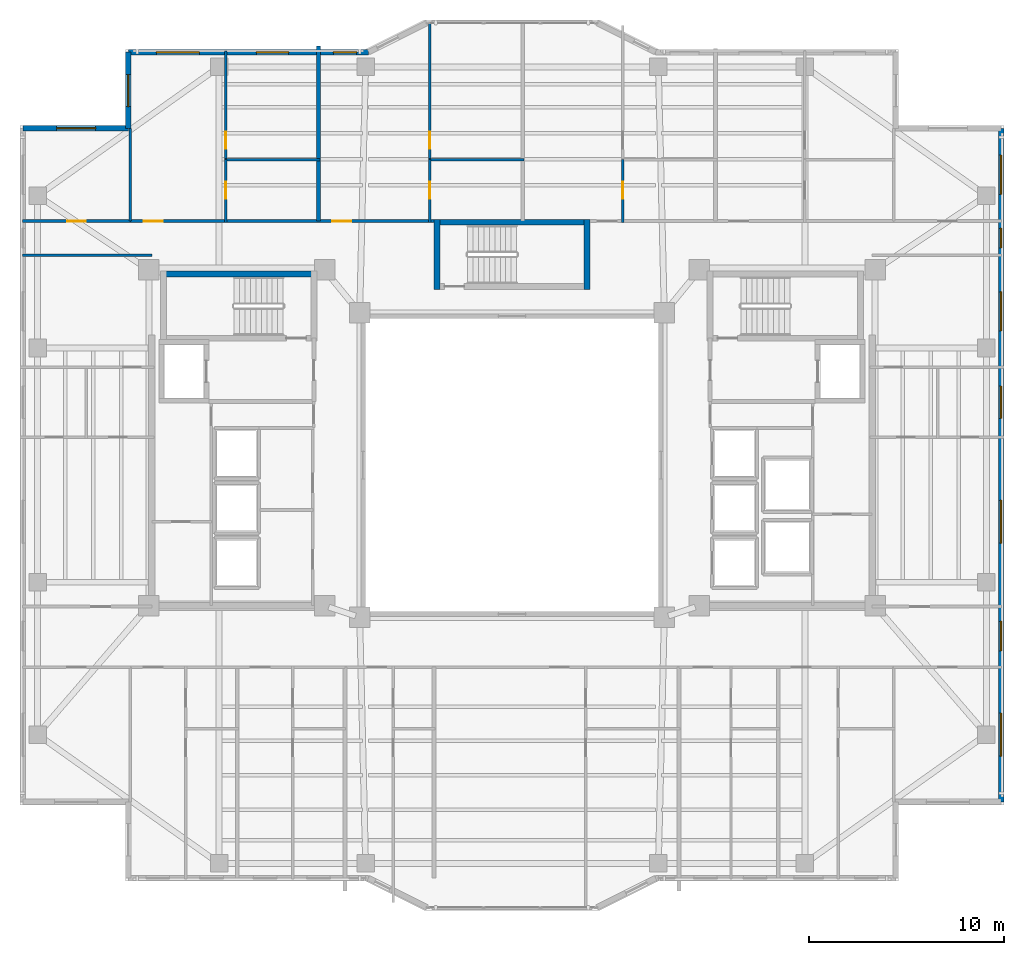
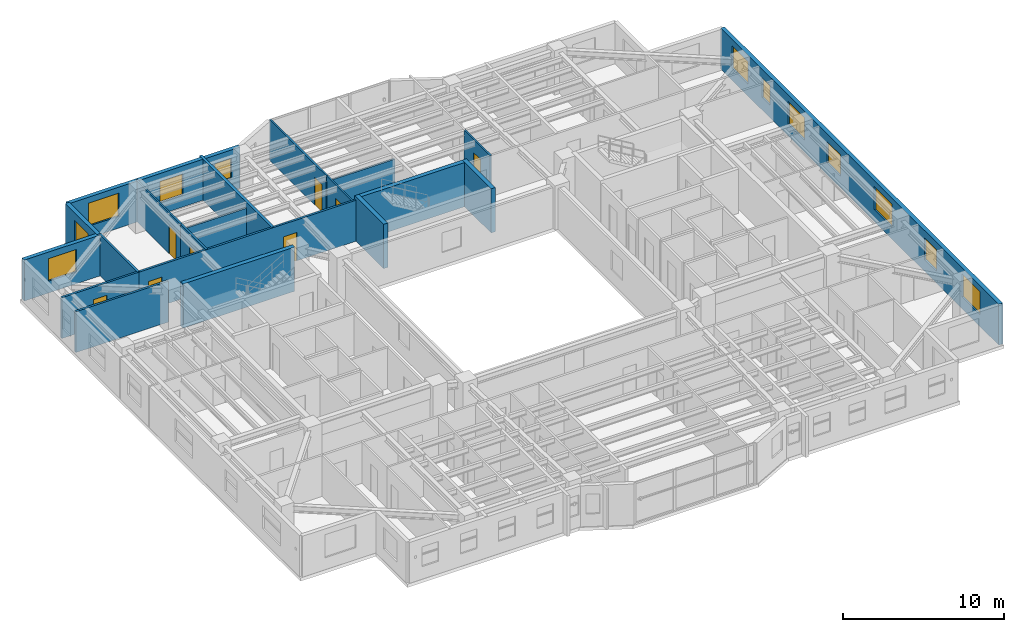
# One storey, part 10 of 16: 20 walls, 12 windows, 8 doors, 20 openings.
"""IFC4 building model written with IfcOpenShell, lengths in metres."""

from ifc_helpers import new_model, si_unit, direction, frame, frame_2d, origin, place, context, subcontext, project, spatial, rectangle, extrude, material, layer, layer_set, type_object, element, fill, save


model = new_model("IFC4")

# Units and contexts
model_context = context("Model", 3, precision=1e-05, world=origin(), true_north=direction((0.0, 1.0)))
body_context = subcontext(model_context, "Body", "Model", "MODEL_VIEW")
ifc_project = project(units=[si_unit("LENGTHUNIT", "METRE"), si_unit("AREAUNIT", "SQUARE_METRE"), si_unit("VOLUMEUNIT", "CUBIC_METRE"), si_unit("PLANEANGLEUNIT", "RADIAN"), si_unit("MASSUNIT", "GRAM", prefix="KILO")], contexts=[model_context])

# Site, building, storey
site_placement = place(None, origin())
site = spatial("IfcSite", under=ifc_project, at=site_placement, CompositionType="ELEMENT")
building_placement = place(site_placement, origin())
building = spatial("IfcBuilding", under=site, at=building_placement, Name="Tarnavaz Court Tower", CompositionType="ELEMENT")
storey_placement = place(building_placement, frame((0.0, 0.0, 166.10009765625)))
storey = spatial("IfcBuildingStorey", under=building, at=storey_placement, Name="L45", CompositionType="ELEMENT", Elevation=166.10009765625)

# Walls
ifc_material_1 = material(Name="Concrete C50/60", Category="concrete")
ifc_layer_1 = layer(ifc_material_1, 0.300048828125)
ifc_layer_set_1 = layer_set([ifc_layer_1], Name="Concrete C50/60")
wall_type_1 = type_object("IfcWallType", Name="WL-CORE-300-C50", PredefinedType="SHEAR", material=ifc_layer_set_1)
for number, where, z_axis, x_axis, name in (
    (1, (-18.0, 9.7900390625, 0.0), (0.0, 0.0, 1.0), (1.0, 0.0, 0.0), "L45 West Stair Core Wall 001"),
    (2, (-4.0, 12.43994140625, 0.0), (0.0, 0.0, 1.0), (1.0, 0.0, 0.0), "L45 North Stair Core Wall 009"),
):
    element("IfcWall", number, at=place(storey_placement, frame(where, z_axis=z_axis, x_axis=x_axis)), inside=storey, type_object=wall_type_1, Name=name, PredefinedType="SHEAR", context=body_context, shape_type="SweptSolid", body=[
        extrude(rectangle(XDim=8.0, YDim=0.300048828125, at=frame_2d((4.0, 0.0))), origin(), (0.0, 0.0, 1.0), 3.349853515625),
    ])
for number, where, z_axis, x_axis, name in (
    (3, (-3.85009765625, 9.0, 0.0), (0.0, 0.0, 1.0), (0.0, 1.0, 0.0), "L45 North Stair Core Wall 011"),
    (4, (3.85009765625, 9.0, 0.0), (0.0, 0.0, 1.0), (0.0, 1.0, 0.0), "L45 North Stair Core Wall 012"),
):
    element("IfcWall", number, at=place(storey_placement, frame(where, z_axis=z_axis, x_axis=x_axis)), inside=storey, type_object=wall_type_1, Name=name, PredefinedType="SHEAR", context=body_context, shape_type="SweptSolid", body=[
        extrude(rectangle(XDim=3.590087890625, YDim=0.300048828125, at=frame_2d((1.794921875, 0.0))), origin(), (0.0, 0.0, 1.0), 3.349853515625),
    ])

# Wall, opening, window
ifc_material_2 = material(Name="Precast Concrete C40/50", Category="concrete")
ifc_layer_2 = layer(ifc_material_2, 0.280029296875)
ifc_layer_set_2 = layer_set([ifc_layer_2], Name="Precast Concrete C40/50")
wall_type_2 = type_object("IfcWallType", Name="WL-EXT-280", PredefinedType="SOLIDWALL", material=ifc_layer_set_2)
wall_1_placement = place(storey_placement, frame((-25.050048828125, 17.25, 0.0), z_axis=(0.0, 0.0, 1.0), x_axis=(1.0, 0.0, 0.0)))
wall_1 = element("IfcWall", 5, at=wall_1_placement, inside=storey, type_object=wall_type_2, Name="L45 Exterior Terracotta Facade Wall 03", PredefinedType="SOLIDWALL", context=body_context, shape_type="SweptSolid", body=[
    extrude(rectangle(XDim=5.400146484375, YDim=0.280029296875, at=frame_2d((2.7001953125, 0.0))), origin(), (0.0, 0.0, 1.0), 3.099853515625),
])
opening_1_placement = place(wall_1_placement, frame((1.72509765625, 0.0, 0.89990234375)))
opening_1 = element("IfcOpeningElement", 6, at=opening_1_placement, cuts=wall_1, Name="Opening W08", PredefinedType="OPENING", context=body_context, shape_type="SweptSolid", body=[
    extrude(rectangle(XDim=2.0, YDim=1.699951171875, at=frame_2d((1.0, 0.85009765625))), frame((0.0, 0.14990234375, 0.0), z_axis=(0.0, -1.0, 0.0), x_axis=(1.0, 0.0, 0.0)), (0.0, 0.0, 1.0), 0.300048828125),
])
ifc_material_3 = material(Name="Double-Glazed Solar Low-E Glass", Category="glass")
window_type_1 = type_object("IfcWindowType", Name="WN-APT-2000", PartitioningType="DOUBLE_PANEL_VERTICAL", PredefinedType="WINDOW", material=ifc_material_3)
window_1_placement = place(opening_1_placement, origin())
window_1 = element("IfcWindow", 7, at=window_1_placement, inside=storey, type_object=window_type_1, Name="L45 North-West Corner Sunroom Study Window", OverallHeight=1.699951171875, OverallWidth=2.0, PartitioningType="SINGLE_PANEL", PredefinedType="WINDOW", context=body_context, shape_type="SweptSolid", body=[
    extrude(rectangle(XDim=2.0, YDim=1.699951171875, at=frame_2d((1.0, 0.85009765625))), frame((0.0, 0.030029296875, 0.0), z_axis=(0.0, -1.0, 0.0), x_axis=(1.0, 0.0, 0.0)), (0.0, 0.0, 1.0), 0.06005859375),
])
fill(opening_1, window_1)

wall_2_placement = place(storey_placement, frame((-19.64990234375, 17.25, 0.0), z_axis=(0.0, 0.0, 1.0), x_axis=(0.0, 1.0, 0.0)))
wall_2 = element("IfcWall", 8, at=wall_2_placement, inside=storey, type_object=wall_type_2, Name="L45 Exterior Terracotta Facade Wall 04", PredefinedType="SOLIDWALL", context=body_context, shape_type="SweptSolid", body=[
    extrude(rectangle(XDim=3.89990234375, YDim=0.280029296875, at=frame_2d((1.949951171875, 0.0))), origin(), (0.0, 0.0, 1.0), 3.099853515625),
])
opening_2_placement = place(wall_2_placement, frame((1.107177734375, 0.0, 0.89990234375)))
opening_2 = element("IfcOpeningElement", 9, at=opening_2_placement, cuts=wall_2, Name="Opening W02", PredefinedType="OPENING", context=body_context, shape_type="SweptSolid", body=[
    extrude(rectangle(XDim=1.64990234375, YDim=1.60009765625, at=frame_2d((0.824951171875, 0.800048828125))), frame((0.0, 0.14990234375, 0.0), z_axis=(0.0, -1.0, 0.0), x_axis=(1.0, 0.0, 0.0)), (0.0, 0.0, 1.0), 0.300048828125),
])
window_type_2 = type_object("IfcWindowType", Name="WN-APT-1650", PartitioningType="DOUBLE_PANEL_VERTICAL", PredefinedType="WINDOW", material=ifc_material_3)
window_2_placement = place(opening_2_placement, origin())
window_2 = element("IfcWindow", 10, at=window_2_placement, inside=storey, type_object=window_type_2, Name="L45 Flat 01 Studio Living and Sleeping Room Window", OverallHeight=1.60009765625, OverallWidth=1.64990234375, PartitioningType="SINGLE_PANEL", PredefinedType="WINDOW", context=body_context, shape_type="SweptSolid", body=[
    extrude(rectangle(XDim=1.64990234375, YDim=1.60009765625, at=frame_2d((0.824951171875, 0.800048828125))), frame((0.0, 0.030029296875, 0.0), z_axis=(0.0, -1.0, 0.0), x_axis=(1.0, 0.0, 0.0)), (0.0, 0.0, 1.0), 0.06005859375),
])
fill(opening_2, window_2)

# Wall, openings, windows
wall_3_placement = place(storey_placement, frame((-19.64990234375, 21.14990234375, 0.0), z_axis=(0.0, 0.0, 1.0), x_axis=(1.0, 0.0, 0.0)))
wall_3 = element("IfcWall", 11, at=wall_3_placement, inside=storey, type_object=wall_type_2, Name="L45 Exterior Terracotta Facade Wall 05", PredefinedType="SOLIDWALL", context=body_context, shape_type="SweptSolid", body=[
    extrude(rectangle(XDim=12.2998046875, YDim=0.280029296875, at=frame_2d((6.14990234375, 0.0))), origin(), (0.0, 0.0, 1.0), 3.099853515625),
])
opening_3_placement = place(wall_3_placement, frame((1.435302734375, 0.0, 0.89990234375)))
opening_3 = element("IfcOpeningElement", 12, at=opening_3_placement, cuts=wall_3, Name="Opening W07", PredefinedType="OPENING", context=body_context, shape_type="SweptSolid", body=[
    extrude(rectangle(XDim=2.199951171875, YDim=1.75, at=frame_2d((1.10009765625, 0.875))), frame((0.0, 0.14990234375, 0.0), z_axis=(0.0, -1.0, 0.0), x_axis=(1.0, 0.0, 0.0)), (0.0, 0.0, 1.0), 0.300048828125),
])
opening_4_placement = place(wall_3_placement, frame((6.554931640625, 0.0, 0.89990234375)))
opening_4 = element("IfcOpeningElement", 13, at=opening_4_placement, cuts=wall_3, Name="Opening W02", PredefinedType="OPENING", context=body_context, shape_type="SweptSolid", body=[
    extrude(rectangle(XDim=1.64990234375, YDim=1.60009765625, at=frame_2d((0.824951171875, 0.800048828125))), frame((0.0, 0.14990234375, 0.0), z_axis=(0.0, -1.0, 0.0), x_axis=(1.0, 0.0, 0.0)), (0.0, 0.0, 1.0), 0.300048828125),
])
opening_5_placement = place(wall_3_placement, frame((10.4951171875, 0.0, 0.949951171875)))
opening_5 = element("IfcOpeningElement", 14, at=opening_5_placement, cuts=wall_3, Name="Opening W05", PredefinedType="OPENING", context=body_context, shape_type="SweptSolid", body=[
    extrude(rectangle(XDim=1.199951171875, YDim=1.5, at=frame_2d((0.60009765625, 0.75))), frame((0.0, 0.14990234375, 0.0), z_axis=(0.0, -1.0, 0.0), x_axis=(1.0, 0.0, 0.0)), (0.0, 0.0, 1.0), 0.300048828125),
])
window_type_3 = type_object("IfcWindowType", Name="WN-APT-1200", PartitioningType="SINGLE_PANEL", PredefinedType="WINDOW", material=ifc_material_3)
window_3_placement = place(opening_5_placement, origin())
window_3 = element("IfcWindow", 15, at=window_3_placement, inside=storey, type_object=window_type_3, Name="L45 Flat 02 Studio Living and Sleeping Room Window", OverallHeight=1.5, OverallWidth=1.199951171875, PartitioningType="SINGLE_PANEL", PredefinedType="WINDOW", context=body_context, shape_type="SweptSolid", body=[
    extrude(rectangle(XDim=1.199951171875, YDim=1.5, at=frame_2d((0.60009765625, 0.75))), frame((0.0, 0.030029296875, 0.0), z_axis=(0.0, -1.0, 0.0), x_axis=(1.0, 0.0, 0.0)), (0.0, 0.0, 1.0), 0.06005859375),
])
fill(opening_5, window_3)
window_4_placement = place(opening_4_placement, origin())
window_4 = element("IfcWindow", 16, at=window_4_placement, inside=storey, type_object=window_type_2, Name="L45 Flat 01 Kitchen Window", OverallHeight=1.60009765625, OverallWidth=1.64990234375, PartitioningType="SINGLE_PANEL", PredefinedType="WINDOW", context=body_context, shape_type="SweptSolid", body=[
    extrude(rectangle(XDim=1.64990234375, YDim=1.60009765625, at=frame_2d((0.824951171875, 0.800048828125))), frame((0.0, 0.030029296875, 0.0), z_axis=(0.0, -1.0, 0.0), x_axis=(1.0, 0.0, 0.0)), (0.0, 0.0, 1.0), 0.06005859375),
])
fill(opening_4, window_4)
window_type_4 = type_object("IfcWindowType", Name="WN-APT-2200", PartitioningType="TRIPLE_PANEL_VERTICAL", PredefinedType="WINDOW", material=ifc_material_3)
window_5_placement = place(opening_3_placement, origin())
window_5 = element("IfcWindow", 17, at=window_5_placement, inside=storey, type_object=window_type_4, Name="L45 Flat 01 Studio Living and Sleeping Room Window", OverallHeight=1.75, OverallWidth=2.199951171875, PartitioningType="SINGLE_PANEL", PredefinedType="WINDOW", context=body_context, shape_type="SweptSolid", body=[
    extrude(rectangle(XDim=2.199951171875, YDim=1.75, at=frame_2d((1.10009765625, 0.875))), frame((0.0, 0.030029296875, 0.0), z_axis=(0.0, -1.0, 0.0), x_axis=(1.0, 0.0, 0.0)), (0.0, 0.0, 1.0), 0.06005859375),
])
fill(opening_3, window_5)

wall_4_placement = place(storey_placement, frame((25.050048828125, 17.25, 0.0), z_axis=(0.0, 0.0, 1.0), x_axis=(0.0, -1.0, 0.0)))
wall_4 = element("IfcWall", 18, at=wall_4_placement, inside=storey, type_object=wall_type_2, Name="L45 Exterior Terracotta Facade Wall 12", PredefinedType="SOLIDWALL", context=body_context, shape_type="SweptSolid", body=[
    extrude(rectangle(XDim=34.5, YDim=0.280029296875, at=frame_2d((17.25, 0.0))), origin(), (0.0, 0.0, 1.0), 3.099853515625),
])
opening_6_placement = place(wall_4_placement, frame((1.375, 0.0, 0.89990234375)))
opening_6 = element("IfcOpeningElement", 19, at=opening_6_placement, cuts=wall_4, Name="Opening W08", PredefinedType="OPENING", context=body_context, shape_type="SweptSolid", body=[
    extrude(rectangle(XDim=2.0, YDim=1.699951171875, at=frame_2d((1.0, 0.85009765625))), frame((0.0, 0.14990234375, 0.0), z_axis=(0.0, -1.0, 0.0), x_axis=(1.0, 0.0, 0.0)), (0.0, 0.0, 1.0), 0.300048828125),
])
opening_7_placement = place(wall_4_placement, frame((5.125, 0.0, 0.949951171875)))
opening_7 = element("IfcOpeningElement", 20, at=opening_7_placement, cuts=wall_4, Name="Opening W14", PredefinedType="OPENING", context=body_context, shape_type="SweptSolid", body=[
    extrude(rectangle(XDim=1.0, YDim=1.5, at=frame_2d((0.5, 0.75))), frame((0.0, 0.14990234375, 0.0), z_axis=(0.0, -1.0, 0.0), x_axis=(1.0, 0.0, 0.0)), (0.0, 0.0, 1.0), 0.300048828125),
])
opening_8_placement = place(wall_4_placement, frame((8.375, 0.0, 0.89990234375)))
opening_8 = element("IfcOpeningElement", 21, at=opening_8_placement, cuts=wall_4, Name="Opening W08", PredefinedType="OPENING", context=body_context, shape_type="SweptSolid", body=[
    extrude(rectangle(XDim=2.0, YDim=1.699951171875, at=frame_2d((1.0, 0.85009765625))), frame((0.0, 0.14990234375, 0.0), z_axis=(0.0, -1.0, 0.0), x_axis=(1.0, 0.0, 0.0)), (0.0, 0.0, 1.0), 0.300048828125),
])
opening_9_placement = place(wall_4_placement, frame((13.199951171875, 0.0, 0.89990234375)))
opening_9 = element("IfcOpeningElement", 22, at=opening_9_placement, cuts=wall_4, Name="Opening W02", PredefinedType="OPENING", context=body_context, shape_type="SweptSolid", body=[
    extrude(rectangle(XDim=1.64990234375, YDim=1.60009765625, at=frame_2d((0.824951171875, 0.800048828125))), frame((0.0, 0.14990234375, 0.0), z_axis=(0.0, -1.0, 0.0), x_axis=(1.0, 0.0, 0.0)), (0.0, 0.0, 1.0), 0.300048828125),
])
opening_10_placement = place(wall_4_placement, frame((19.050048828125, 0.0, 0.89990234375)))
opening_10 = element("IfcOpeningElement", 23, at=opening_10_placement, cuts=wall_4, Name="Opening W07", PredefinedType="OPENING", context=body_context, shape_type="SweptSolid", body=[
    extrude(rectangle(XDim=2.199951171875, YDim=1.75, at=frame_2d((1.10009765625, 0.875))), frame((0.0, 0.14990234375, 0.0), z_axis=(0.0, -1.0, 0.0), x_axis=(1.0, 0.0, 0.0)), (0.0, 0.0, 1.0), 0.300048828125),
])
opening_11_placement = place(wall_4_placement, frame((25.257568359375, 0.0, 0.89990234375)))
opening_11 = element("IfcOpeningElement", 24, at=opening_11_placement, cuts=wall_4, Name="Opening W03", PredefinedType="OPENING", context=body_context, shape_type="SweptSolid", body=[
    extrude(rectangle(XDim=1.5, YDim=1.64990234375, at=frame_2d((0.75, 0.824951171875))), frame((0.0, 0.14990234375, 0.0), z_axis=(0.0, -1.0, 0.0), x_axis=(1.0, 0.0, 0.0)), (0.0, 0.0, 1.0), 0.300048828125),
])
opening_12_placement = place(wall_4_placement, frame((29.949951171875, 0.0, 0.89990234375)))
opening_12 = element("IfcOpeningElement", 25, at=opening_12_placement, cuts=wall_4, Name="Opening W07", PredefinedType="OPENING", context=body_context, shape_type="SweptSolid", body=[
    extrude(rectangle(XDim=2.199951171875, YDim=1.75, at=frame_2d((1.10009765625, 0.875))), frame((0.0, 0.14990234375, 0.0), z_axis=(0.0, -1.0, 0.0), x_axis=(1.0, 0.0, 0.0)), (0.0, 0.0, 1.0), 0.300048828125),
])
window_type_5 = type_object("IfcWindowType", Name="WN-APT-1000", PartitioningType="SINGLE_PANEL", PredefinedType="WINDOW", material=ifc_material_3)
window_6_placement = place(opening_7_placement, origin())
window_6 = element("IfcWindow", 26, at=window_6_placement, inside=storey, type_object=window_type_5, Name="L45 North-East Corner Corridor Window", OverallHeight=1.5, OverallWidth=1.0, PartitioningType="SINGLE_PANEL", PredefinedType="WINDOW", context=body_context, shape_type="SweptSolid", body=[
    extrude(rectangle(XDim=1.0, YDim=1.5, at=frame_2d((0.5, 0.75))), frame((0.0, 0.030029296875, 0.0), z_axis=(0.0, -1.0, 0.0), x_axis=(1.0, 0.0, 0.0)), (0.0, 0.0, 1.0), 0.06005859375),
])
fill(opening_7, window_6)
window_type_6 = type_object("IfcWindowType", Name="WN-APT-1500", PartitioningType="DOUBLE_PANEL_VERTICAL", PredefinedType="WINDOW", material=ifc_material_3)
window_7_placement = place(opening_11_placement, origin())
window_7 = element("IfcWindow", 27, at=window_7_placement, inside=storey, type_object=window_type_6, Name="L45 South-East Corner Corridor Window", OverallHeight=1.64990234375, OverallWidth=1.5, PartitioningType="SINGLE_PANEL", PredefinedType="WINDOW", context=body_context, shape_type="SweptSolid", body=[
    extrude(rectangle(XDim=1.5, YDim=1.64990234375, at=frame_2d((0.75, 0.824951171875))), frame((0.0, 0.030029296875, 0.0), z_axis=(0.0, -1.0, 0.0), x_axis=(1.0, 0.0, 0.0)), (0.0, 0.0, 1.0), 0.06005859375),
])
fill(opening_11, window_7)
window_8_placement = place(opening_9_placement, origin())
window_8 = element("IfcWindow", 28, at=window_8_placement, inside=storey, type_object=window_type_2, Name="L45 Flat 12 Bathroom Window", OverallHeight=1.60009765625, OverallWidth=1.64990234375, PartitioningType="SINGLE_PANEL", PredefinedType="WINDOW", context=body_context, shape_type="SweptSolid", body=[
    extrude(rectangle(XDim=1.64990234375, YDim=1.60009765625, at=frame_2d((0.824951171875, 0.800048828125))), frame((0.0, 0.030029296875, 0.0), z_axis=(0.0, -1.0, 0.0), x_axis=(1.0, 0.0, 0.0)), (0.0, 0.0, 1.0), 0.06005859375),
])
fill(opening_9, window_8)
window_9_placement = place(opening_6_placement, origin())
window_9 = element("IfcWindow", 29, at=window_9_placement, inside=storey, type_object=window_type_1, Name="L45 North-East Corner Sunroom Study Window", OverallHeight=1.699951171875, OverallWidth=2.0, PartitioningType="SINGLE_PANEL", PredefinedType="WINDOW", context=body_context, shape_type="SweptSolid", body=[
    extrude(rectangle(XDim=2.0, YDim=1.699951171875, at=frame_2d((1.0, 0.85009765625))), frame((0.0, 0.030029296875, 0.0), z_axis=(0.0, -1.0, 0.0), x_axis=(1.0, 0.0, 0.0)), (0.0, 0.0, 1.0), 0.06005859375),
])
fill(opening_6, window_9)
window_10_placement = place(opening_8_placement, origin())
window_10 = element("IfcWindow", 30, at=window_10_placement, inside=storey, type_object=window_type_1, Name="L45 Flat 12 Study Room Window", OverallHeight=1.699951171875, OverallWidth=2.0, PartitioningType="SINGLE_PANEL", PredefinedType="WINDOW", context=body_context, shape_type="SweptSolid", body=[
    extrude(rectangle(XDim=2.0, YDim=1.699951171875, at=frame_2d((1.0, 0.85009765625))), frame((0.0, 0.030029296875, 0.0), z_axis=(0.0, -1.0, 0.0), x_axis=(1.0, 0.0, 0.0)), (0.0, 0.0, 1.0), 0.06005859375),
])
fill(opening_8, window_10)
window_11_placement = place(opening_10_placement, origin())
window_11 = element("IfcWindow", 31, at=window_11_placement, inside=storey, type_object=window_type_4, Name="L45 Flat 12 Studio Living and Sleeping Room Window", OverallHeight=1.75, OverallWidth=2.199951171875, PartitioningType="SINGLE_PANEL", PredefinedType="WINDOW", context=body_context, shape_type="SweptSolid", body=[
    extrude(rectangle(XDim=2.199951171875, YDim=1.75, at=frame_2d((1.10009765625, 0.875))), frame((0.0, 0.030029296875, 0.0), z_axis=(0.0, -1.0, 0.0), x_axis=(1.0, 0.0, 0.0)), (0.0, 0.0, 1.0), 0.06005859375),
])
fill(opening_10, window_11)
window_12_placement = place(opening_12_placement, origin())
window_12 = element("IfcWindow", 32, at=window_12_placement, inside=storey, type_object=window_type_4, Name="L45 South-East Corner Reading Room Window", OverallHeight=1.75, OverallWidth=2.199951171875, PartitioningType="SINGLE_PANEL", PredefinedType="WINDOW", context=body_context, shape_type="SweptSolid", body=[
    extrude(rectangle(XDim=2.199951171875, YDim=1.75, at=frame_2d((1.10009765625, 0.875))), frame((0.0, 0.030029296875, 0.0), z_axis=(0.0, -1.0, 0.0), x_axis=(1.0, 0.0, 0.0)), (0.0, 0.0, 1.0), 0.06005859375),
])
fill(opening_12, window_12)

# Wall, openings, doors
ifc_material_4 = material(Name="Gypsum Fire-Board on Acoustic Metal Stud", Category="masonry")
ifc_layer_3 = layer(ifc_material_4, 0.14990234375)
ifc_layer_set_3 = layer_set([ifc_layer_3], Name="Gypsum Fire-Board on Acoustic Metal Stud")
wall_type_3 = type_object("IfcWallType", Name="WL-FIRE-150", PredefinedType="PARTITIONING", material=ifc_layer_set_3)
wall_5_placement = place(storey_placement, frame((-19.550048828125, 12.5, 0.0), z_axis=(0.0, 0.0, 1.0), x_axis=(1.0, 0.0, 0.0)))
wall_5 = element("IfcWall", 33, at=wall_5_placement, inside=storey, type_object=wall_type_3, Name="L45 NW Wing Corridor Wall 071", PredefinedType="PARTITIONING", context=body_context, shape_type="SweptSolid", body=[
    extrude(rectangle(XDim=15.699951171875, YDim=0.14990234375, at=frame_2d((7.85009765625, 0.0))), origin(), (0.0, 0.0, 1.0), 3.099853515625),
])
opening_13_placement = place(wall_5_placement, frame((0.699951171875, 0.0, 0.0)))
opening_13 = element("IfcOpeningElement", 34, at=opening_13_placement, cuts=wall_5, Name="Opening D06", PredefinedType="OPENING", context=body_context, shape_type="SweptSolid", body=[
    extrude(rectangle(XDim=0.9599609375, YDim=2.14990234375, at=frame_2d((0.47998046875, 1.074951171875))), frame((0.0, 0.0849609375, 0.0), z_axis=(0.0, -1.0, 0.0), x_axis=(1.0, 0.0, 0.0)), (0.0, 0.0, 1.0), 0.169921875),
])
opening_14_placement = place(wall_5_placement, frame((10.347900390625, 0.0, 0.0)))
opening_14 = element("IfcOpeningElement", 35, at=opening_14_placement, cuts=wall_5, Name="Opening D06", PredefinedType="OPENING", context=body_context, shape_type="SweptSolid", body=[
    extrude(rectangle(XDim=0.9599609375, YDim=2.14990234375, at=frame_2d((0.47998046875, 1.074951171875))), frame((0.0, 0.0849609375, 0.0), z_axis=(0.0, -1.0, 0.0), x_axis=(1.0, 0.0, 0.0)), (0.0, 0.0, 1.0), 0.169921875),
])
ifc_material_5 = material(Name="Fire-Rated Hardwood Timber Core", Category="wood")
door_type_1 = type_object("IfcDoorType", Name="DR-FD60-950", OperationType="NOTDEFINED", PredefinedType="DOOR", material=ifc_material_5)
door_1_placement = place(opening_13_placement, origin())
door_1 = element("IfcDoor", 36, at=door_1_placement, inside=storey, type_object=door_type_1, Name="L45 Flat 01 Entrance Door", OperationType="SINGLE_SWING_LEFT", OverallHeight=2.14990234375, OverallWidth=0.9599609375, PredefinedType="DOOR", context=body_context, shape_type="SweptSolid", body=[
    extrude(rectangle(XDim=0.9599609375, YDim=2.14990234375, at=frame_2d((0.47998046875, 1.074951171875))), frame((0.0, 0.02490234375, 0.0), z_axis=(0.0, -1.0, 0.0), x_axis=(1.0, 0.0, 0.0)), (0.0, 0.0, 1.0), 0.050048828125),
])
fill(opening_13, door_1)
door_2_placement = place(opening_14_placement, origin())
door_2 = element("IfcDoor", 37, at=door_2_placement, inside=storey, type_object=door_type_1, Name="L45 Flat 02 Entrance Door", OperationType="SINGLE_SWING_RIGHT", OverallHeight=2.14990234375, OverallWidth=0.9599609375, PredefinedType="DOOR", context=body_context, shape_type="SweptSolid", body=[
    extrude(rectangle(XDim=0.9599609375, YDim=2.14990234375, at=frame_2d((0.47998046875, 1.074951171875))), frame((0.0, 0.02490234375, 0.0), z_axis=(0.0, -1.0, 0.0), x_axis=(1.0, 0.0, 0.0)), (0.0, 0.0, 1.0), 0.050048828125),
])
fill(opening_14, door_2)

# Wall
wall_6_placement = place(storey_placement, frame((-25.080078125, 10.75, 0.0), z_axis=(0.0, 0.0, 1.0), x_axis=(1.0, 0.0, 0.0)))
element("IfcWall", 38, at=wall_6_placement, inside=storey, type_object=wall_type_3, Name="L45 Interior Partition 115", PredefinedType="PARTITIONING", context=body_context, shape_type="SweptSolid", body=[
    extrude(rectangle(XDim=6.630126953125, YDim=0.14990234375, at=frame_2d((3.31494140625, 0.0))), origin(), (0.0, 0.0, 1.0), 3.099853515625),
])

# Wall, opening, door
wall_7_placement = place(storey_placement, frame((-25.080078125, 12.5, 0.0), z_axis=(0.0, 0.0, 1.0), x_axis=(1.0, 0.0, 0.0)))
wall_7 = element("IfcWall", 39, at=wall_7_placement, inside=storey, type_object=wall_type_3, Name="L45 Interior Partition 122", PredefinedType="PARTITIONING", context=body_context, shape_type="SweptSolid", body=[
    extrude(rectangle(XDim=5.530029296875, YDim=0.14990234375, at=frame_2d((2.76513671875, 0.0))), origin(), (0.0, 0.0, 1.0), 3.099853515625),
])
opening_15_placement = place(wall_7_placement, frame((2.2900390625, 0.0, 0.0)))
opening_15 = element("IfcOpeningElement", 40, at=opening_15_placement, cuts=wall_7, Name="Opening D13", PredefinedType="OPENING", context=body_context, shape_type="SweptSolid", body=[
    extrude(rectangle(XDim=0.949951171875, YDim=2.14990234375, at=frame_2d((0.47509765625, 1.074951171875))), frame((0.0, 0.0849609375, 0.0), z_axis=(0.0, -1.0, 0.0), x_axis=(1.0, 0.0, 0.0)), (0.0, 0.0, 1.0), 0.169921875),
])
ifc_material_6 = material(Name="Engineered Oak Timber", Category="wood")
door_type_2 = type_object("IfcDoorType", Name="DR-INT-950", OperationType="NOTDEFINED", PredefinedType="DOOR", material=ifc_material_6)
door_3_placement = place(opening_15_placement, origin())
door_3 = element("IfcDoor", 41, at=door_3_placement, inside=storey, type_object=door_type_2, Name="L45 NW Sunroom Door", OperationType="SINGLE_SWING_LEFT", OverallHeight=2.14990234375, OverallWidth=0.949951171875, PredefinedType="DOOR", context=body_context, shape_type="SweptSolid", body=[
    extrude(rectangle(XDim=0.949951171875, YDim=2.14990234375, at=frame_2d((0.47509765625, 1.074951171875))), frame((0.0, 0.02490234375, 0.0), z_axis=(0.0, -1.0, 0.0), x_axis=(1.0, 0.0, 0.0)), (0.0, 0.0, 1.0), 0.050048828125),
])
fill(opening_15, door_3)

# Wall
ifc_material_7 = material(Name="Autoclaved Aerated Concrete Blockwork", Category="masonry")
ifc_layer_4 = layer(ifc_material_7, 0.199951171875)
ifc_layer_set_4 = layer_set([ifc_layer_4], Name="Autoclaved Aerated Concrete Blockwork")
wall_type_4 = type_object("IfcWallType", Name="WL-FIRE-200", PredefinedType="SOLIDWALL", material=ifc_layer_set_4)
wall_8_placement = place(storey_placement, frame((-9.902099609375, 12.5, 0.0), z_axis=(0.0, 0.0, 1.0), x_axis=(0.0, 1.0, 0.0)))
element("IfcWall", 42, at=wall_8_placement, inside=storey, type_object=wall_type_4, Name="L45 Party Wall 076", PredefinedType="SOLIDWALL", context=body_context, shape_type="SweptSolid", body=[
    extrude(rectangle(XDim=8.970947265625, YDim=0.199951171875, at=frame_2d((4.4853515625, 0.0))), origin(), (0.0, 0.0, 1.0), 3.099853515625),
])

# Wall, opening, door
ifc_material_8 = material(Name="Moisture-Resistant Gypsum Board Partition", Category="masonry")
ifc_layer_5 = layer(ifc_material_8, 0.1201171875)
ifc_layer_set_5 = layer_set([ifc_layer_5], Name="Moisture-Resistant Gypsum Board Partition")
wall_type_5 = type_object("IfcWallType", Name="WL-PART-120", PredefinedType="PARTITIONING", material=ifc_layer_set_5)
wall_9_placement = place(storey_placement, frame((-14.662109375, 12.43994140625, 0.0), z_axis=(0.0, 0.0, 1.0), x_axis=(0.0, 1.0, 0.0)))
wall_9 = element("IfcWall", 43, at=wall_9_placement, inside=storey, type_object=wall_type_5, Name="L45 Interior Partition 077", PredefinedType="PARTITIONING", context=body_context, shape_type="SweptSolid", body=[
    extrude(rectangle(XDim=3.2099609375, YDim=0.1201171875, at=frame_2d((1.60498046875, 0.0))), origin(), (0.0, 0.0, 1.0), 3.099853515625),
])
opening_16_placement = place(wall_9_placement, frame((1.195068359375, 0.0, 0.0)))
opening_16 = element("IfcOpeningElement", 44, at=opening_16_placement, cuts=wall_9, Name="Opening D14", PredefinedType="OPENING", context=body_context, shape_type="SweptSolid", body=[
    extrude(rectangle(XDim=0.8798828125, YDim=2.10009765625, at=frame_2d((0.43994140625, 1.050048828125))), frame((0.0, 0.070068359375, 0.0), z_axis=(0.0, -1.0, 0.0), x_axis=(1.0, 0.0, 0.0)), (0.0, 0.0, 1.0), 0.14013671875),
])
door_type_3 = type_object("IfcDoorType", Name="DR-INT-900", OperationType="NOTDEFINED", PredefinedType="DOOR", material=ifc_material_6)
door_4_placement = place(opening_16_placement, origin())
door_4 = element("IfcDoor", 45, at=door_4_placement, inside=storey, type_object=door_type_3, Name="L45 Flat 01 Bathroom Door", OperationType="SINGLE_SWING_RIGHT", OverallHeight=2.10009765625, OverallWidth=0.8798828125, PredefinedType="DOOR", context=body_context, shape_type="SweptSolid", body=[
    extrude(rectangle(XDim=0.8798828125, YDim=2.10009765625, at=frame_2d((0.43994140625, 1.050048828125))), frame((0.0, 0.02490234375, 0.0), z_axis=(0.0, -1.0, 0.0), x_axis=(1.0, 0.0, 0.0)), (0.0, 0.0, 1.0), 0.050048828125),
])
fill(opening_16, door_4)

wall_10_placement = place(storey_placement, frame((-14.662109375, 15.64990234375, 0.0), z_axis=(0.0, 0.0, 1.0), x_axis=(0.0, 1.0, 0.0)))
wall_10 = element("IfcWall", 46, at=wall_10_placement, inside=storey, type_object=wall_type_5, Name="L45 Interior Partition 078", PredefinedType="PARTITIONING", context=body_context, shape_type="SweptSolid", body=[
    extrude(rectangle(XDim=5.550048828125, YDim=0.1201171875, at=frame_2d((2.77490234375, 0.0))), origin(), (0.0, 0.0, 1.0), 3.099853515625),
])
opening_17_placement = place(wall_10_placement, frame((0.550048828125, 0.0, 0.0)))
opening_17 = element("IfcOpeningElement", 47, at=opening_17_placement, cuts=wall_10, Name="Opening D14", PredefinedType="OPENING", context=body_context, shape_type="SweptSolid", body=[
    extrude(rectangle(XDim=0.8798828125, YDim=2.10009765625, at=frame_2d((0.43994140625, 1.050048828125))), frame((0.0, 0.070068359375, 0.0), z_axis=(0.0, -1.0, 0.0), x_axis=(1.0, 0.0, 0.0)), (0.0, 0.0, 1.0), 0.14013671875),
])
door_5_placement = place(opening_17_placement, origin())
door_5 = element("IfcDoor", 48, at=door_5_placement, inside=storey, type_object=door_type_3, Name="L45 Flat 01 Kitchen Door", OperationType="SINGLE_SWING_LEFT", OverallHeight=2.10009765625, OverallWidth=0.8798828125, PredefinedType="DOOR", context=body_context, shape_type="SweptSolid", body=[
    extrude(rectangle(XDim=0.8798828125, YDim=2.10009765625, at=frame_2d((0.43994140625, 1.050048828125))), frame((0.0, 0.02490234375, 0.0), z_axis=(0.0, -1.0, 0.0), x_axis=(1.0, 0.0, 0.0)), (0.0, 0.0, 1.0), 0.050048828125),
])
fill(opening_17, door_5)

# Wall
wall_11_placement = place(storey_placement, frame((-14.721923828125, 15.64990234375, 0.0), z_axis=(0.0, 0.0, 1.0), x_axis=(1.0, 0.0, 0.0)))
element("IfcWall", 49, at=wall_11_placement, inside=storey, type_object=wall_type_5, Name="L45 Interior Partition 079", PredefinedType="PARTITIONING", context=body_context, shape_type="SweptSolid", body=[
    extrude(rectangle(XDim=4.8798828125, YDim=0.1201171875, at=frame_2d((2.43994140625, 0.0))), origin(), (0.0, 0.0, 1.0), 2.684814453125),
])

# Wall, opening, door
wall_12_placement = place(storey_placement, frame((-4.2099609375, 12.43994140625, 0.0), z_axis=(0.0, 0.0, 1.0), x_axis=(0.0, 1.0, 0.0)))
wall_12 = element("IfcWall", 50, at=wall_12_placement, inside=storey, type_object=wall_type_5, Name="L45 Interior Partition 080", PredefinedType="PARTITIONING", context=body_context, shape_type="SweptSolid", body=[
    extrude(rectangle(XDim=3.2099609375, YDim=0.1201171875, at=frame_2d((1.60498046875, 0.0))), origin(), (0.0, 0.0, 1.0), 3.099853515625),
])
opening_18_placement = place(wall_12_placement, frame((1.195068359375, 0.0, 0.0)))
opening_18 = element("IfcOpeningElement", 51, at=opening_18_placement, cuts=wall_12, Name="Opening D14", PredefinedType="OPENING", context=body_context, shape_type="SweptSolid", body=[
    extrude(rectangle(XDim=0.8798828125, YDim=2.10009765625, at=frame_2d((0.43994140625, 1.050048828125))), frame((0.0, 0.070068359375, 0.0), z_axis=(0.0, -1.0, 0.0), x_axis=(1.0, 0.0, 0.0)), (0.0, 0.0, 1.0), 0.14013671875),
])
door_6_placement = place(opening_18_placement, origin())
door_6 = element("IfcDoor", 52, at=door_6_placement, inside=storey, type_object=door_type_3, Name="L45 Flat 02 Bathroom Door", OperationType="SINGLE_SWING_LEFT", OverallHeight=2.10009765625, OverallWidth=0.8798828125, PredefinedType="DOOR", context=body_context, shape_type="SweptSolid", body=[
    extrude(rectangle(XDim=0.8798828125, YDim=2.10009765625, at=frame_2d((0.43994140625, 1.050048828125))), frame((0.0, 0.02490234375, 0.0), z_axis=(0.0, -1.0, 0.0), x_axis=(1.0, 0.0, 0.0)), (0.0, 0.0, 1.0), 0.050048828125),
])
fill(opening_18, door_6)

wall_13_placement = place(storey_placement, frame((-4.2099609375, 15.64990234375, 0.0), z_axis=(0.0, 0.0, 1.0), x_axis=(0.0, 1.0, 0.0)))
wall_13 = element("IfcWall", 53, at=wall_13_placement, inside=storey, type_object=wall_type_5, Name="L45 Interior Partition 081", PredefinedType="PARTITIONING", context=body_context, shape_type="SweptSolid", body=[
    extrude(rectangle(XDim=7.030029296875, YDim=0.1201171875, at=frame_2d((3.51513671875, 0.0))), origin(), (0.0, 0.0, 1.0), 3.099853515625),
])
opening_19_placement = place(wall_13_placement, frame((0.550048828125, 0.0, 0.0)))
opening_19 = element("IfcOpeningElement", 54, at=opening_19_placement, cuts=wall_13, Name="Opening D14", PredefinedType="OPENING", context=body_context, shape_type="SweptSolid", body=[
    extrude(rectangle(XDim=0.8798828125, YDim=2.10009765625, at=frame_2d((0.43994140625, 1.050048828125))), frame((0.0, 0.070068359375, 0.0), z_axis=(0.0, -1.0, 0.0), x_axis=(1.0, 0.0, 0.0)), (0.0, 0.0, 1.0), 0.14013671875),
])
door_7_placement = place(opening_19_placement, origin())
door_7 = element("IfcDoor", 55, at=door_7_placement, inside=storey, type_object=door_type_3, Name="L45 Flat 02 Kitchen Door", OperationType="SINGLE_SWING_RIGHT", OverallHeight=2.10009765625, OverallWidth=0.8798828125, PredefinedType="DOOR", context=body_context, shape_type="SweptSolid", body=[
    extrude(rectangle(XDim=0.8798828125, YDim=2.10009765625, at=frame_2d((0.43994140625, 1.050048828125))), frame((0.0, 0.02490234375, 0.0), z_axis=(0.0, -1.0, 0.0), x_axis=(1.0, 0.0, 0.0)), (0.0, 0.0, 1.0), 0.050048828125),
])
fill(opening_19, door_7)

# Wall
wall_14_placement = place(storey_placement, frame((-4.27001953125, 15.64990234375, 0.0), z_axis=(0.0, 0.0, 1.0), x_axis=(1.0, 0.0, 0.0)))
element("IfcWall", 56, at=wall_14_placement, inside=storey, type_object=wall_type_5, Name="L45 Interior Partition 082", PredefinedType="PARTITIONING", context=body_context, shape_type="SweptSolid", body=[
    extrude(rectangle(XDim=4.880126953125, YDim=0.1201171875, at=frame_2d((2.43994140625, 0.0))), origin(), (0.0, 0.0, 1.0), 2.684814453125),
])

# Wall, opening, door
wall_15_placement = place(storey_placement, frame((5.669921875, 12.43994140625, 0.0), z_axis=(0.0, 0.0, 1.0), x_axis=(0.0, 1.0, 0.0)))
wall_15 = element("IfcWall", 57, at=wall_15_placement, inside=storey, type_object=wall_type_5, Name="L45 Interior Partition 084", PredefinedType="PARTITIONING", context=body_context, shape_type="SweptSolid", body=[
    extrude(rectangle(XDim=3.2099609375, YDim=0.1201171875, at=frame_2d((1.60498046875, 0.0))), origin(), (0.0, 0.0, 1.0), 3.099853515625),
])
opening_20_placement = place(wall_15_placement, frame((1.195068359375, 0.0, 0.0)))
opening_20 = element("IfcOpeningElement", 58, at=opening_20_placement, cuts=wall_15, Name="Opening D14", PredefinedType="OPENING", context=body_context, shape_type="SweptSolid", body=[
    extrude(rectangle(XDim=0.8798828125, YDim=2.10009765625, at=frame_2d((0.43994140625, 1.050048828125))), frame((0.0, 0.070068359375, 0.0), z_axis=(0.0, -1.0, 0.0), x_axis=(1.0, 0.0, 0.0)), (0.0, 0.0, 1.0), 0.14013671875),
])
door_8_placement = place(opening_20_placement, origin())
door_8 = element("IfcDoor", 59, at=door_8_placement, inside=storey, type_object=door_type_3, Name="L45 Flat 03 Bathroom Door", OperationType="SINGLE_SWING_RIGHT", OverallHeight=2.10009765625, OverallWidth=0.8798828125, PredefinedType="DOOR", context=body_context, shape_type="SweptSolid", body=[
    extrude(rectangle(XDim=0.8798828125, YDim=2.10009765625, at=frame_2d((0.43994140625, 1.050048828125))), frame((0.0, 0.02490234375, 0.0), z_axis=(0.0, -1.0, 0.0), x_axis=(1.0, 0.0, 0.0)), (0.0, 0.0, 1.0), 0.050048828125),
])
fill(opening_20, door_8)

# Wall
ifc_material_9 = material(Name="Gypsum Plasterboard Acoustic Partition", Category="masonry")
ifc_layer_6 = layer(ifc_material_9, 0.139892578125)
ifc_layer_set_6 = layer_set([ifc_layer_6], Name="Gypsum Plasterboard Acoustic Partition")
wall_type_6 = type_object("IfcWallType", Name="WL-PART-150", PredefinedType="PARTITIONING", material=ifc_layer_set_6)
wall_16_placement = place(storey_placement, frame((-19.550048828125, 12.5, 0.0), z_axis=(0.0, 0.0, 1.0), x_axis=(0.0, 1.0, 0.0)))
element("IfcWall", 60, at=wall_16_placement, inside=storey, type_object=wall_type_6, Name="L45 Interior Partition 120", PredefinedType="PARTITIONING", context=body_context, shape_type="SweptSolid", body=[
    extrude(rectangle(XDim=4.75, YDim=0.139892578125, at=frame_2d((2.375, 0.0))), origin(), (0.0, 0.0, 1.0), 3.099853515625),
])

save(model, "model.ifc")
